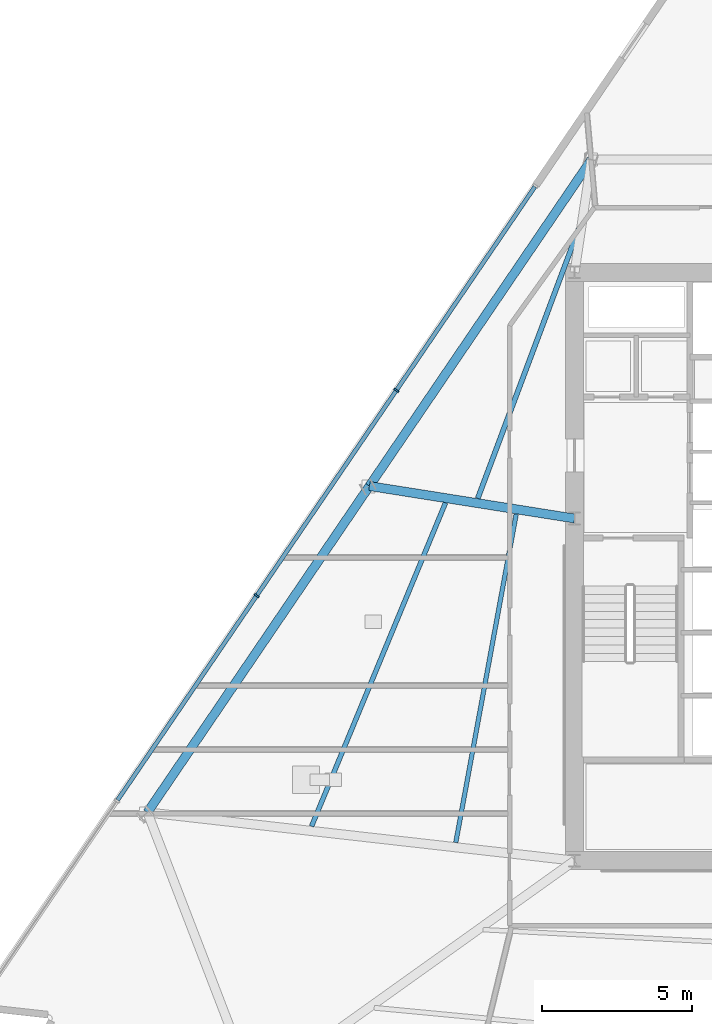
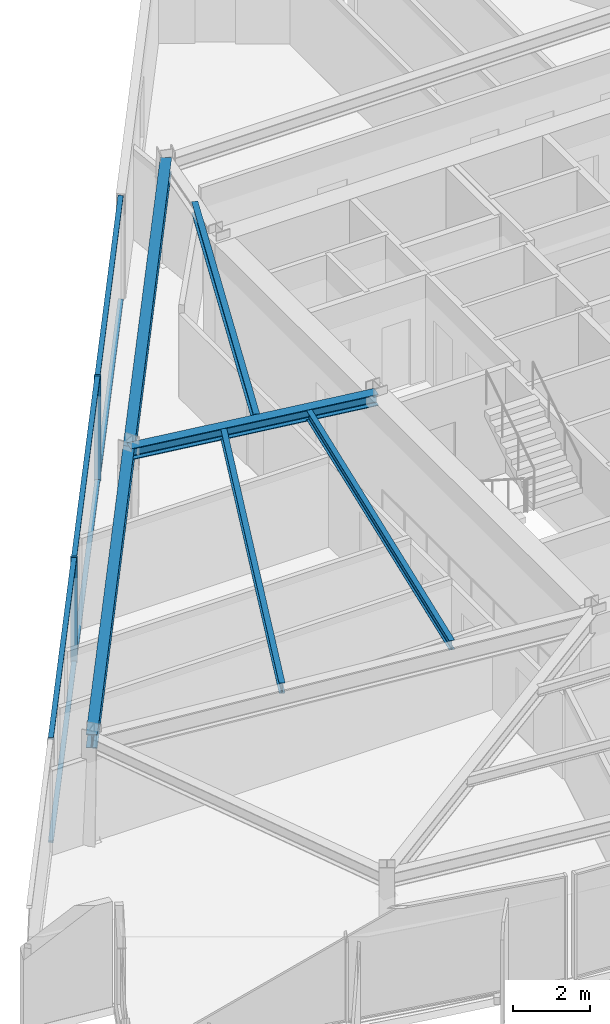
# One storey, part 3 of 15: 8 members, 6 beams, 1 element without a shape of its own.
"""IFC4 building model written with IfcOpenShell, lengths in metres."""

import ifcopenshell
import ifcopenshell.guid

model = None  # the IFC model being written
_history = None  # IfcOwnerHistory: only IFC2X3 demands one
_inside = {}  # id of a spatial element -> (the spatial element, [elements in it])
_under = {}  # id of a project, library or spatial element -> (it, [spatial elements below it])
_declared = {}  # id of a project -> (the project, [libraries it declares])
_typed = {}  # id of a type object -> (the type object, [elements of that type])
_made_of = {}  # id of a material, layer set ... -> (it, [elements and type objects made of it])


def new_model(schema):
    """Start an empty IFC model of exactly this schema.

    Asked for "IFC4X3", IfcOpenShell would pick the latest addendum, in which some entities
    have other attributes; the version numbers below select the first issue.
    IFC2X3 requires an IfcOwnerHistory on every rooted entity: one is made here for all.
    """
    global model, _history
    if schema == "IFC4X3":
        model = ifcopenshell.file(schema_version=(4, 3, 0, 0))
    else:
        model = ifcopenshell.file(schema=schema)
    _inside.clear()
    _under.clear()
    _declared.clear()
    _typed.clear()
    _made_of.clear()
    _history = None
    if model.schema == "IFC2X3":
        org = make("IfcOrganization", Name="unknown")
        user = make(
            "IfcPersonAndOrganization",
            ThePerson=make("IfcPerson", FamilyName="unknown"),
            TheOrganization=org,
        )
        app = make(
            "IfcApplication",
            ApplicationDeveloper=org,
            Version="unknown",
            ApplicationFullName="unknown",
            ApplicationIdentifier="unknown",
        )
        _history = make(
            "IfcOwnerHistory",
            OwningUser=user,
            OwningApplication=app,
            ChangeAction="ADDED",
            CreationDate=0,
        )
    return model


def make(cls, **values):
    """One entity of the class cls with the attributes given. An attribute that is None is left unset."""
    return model.create_entity(
        cls, **{name: value for name, value in values.items() if value is not None}
    )


def rooted(cls, **values):
    """An entity with a GlobalId (a new one), such as an element, a storey or a relation."""
    return make(cls, GlobalId=ifcopenshell.guid.new(), OwnerHistory=_history, **values)


def si_unit(unit_type, name, prefix=None):
    """IfcSIUnit, for example si_unit("LENGTHUNIT", "METRE", prefix="MILLI")."""
    return make("IfcSIUnit", UnitType=unit_type, Prefix=prefix, Name=name)


def assignment(units):
    """IfcUnitAssignment: the units of a project."""
    return None if units is None else make("IfcUnitAssignment", Units=units)


def point(xyz):
    """IfcCartesianPoint."""
    return None if xyz is None else make("IfcCartesianPoint", Coordinates=xyz)


def direction(xyz):
    """IfcDirection."""
    return None if xyz is None else make("IfcDirection", DirectionRatios=xyz)


def frame(location, z_axis=None, x_axis=None):
    """IfcAxis2Placement3D, a coordinate frame: its origin and axes. An axis left out is left unset."""
    return make(
        "IfcAxis2Placement3D",
        Location=point(location),
        Axis=direction(z_axis),
        RefDirection=direction(x_axis),
    )


def frame_2d(location, x_axis=None):
    """IfcAxis2Placement2D, a coordinate frame in the plane: its origin and x axis."""
    return make(
        "IfcAxis2Placement2D", Location=point(location), RefDirection=direction(x_axis)
    )


def origin():
    """The frame at (0, 0, 0) with its axes left unset."""
    return frame((0.0, 0.0, 0.0))


def origin_2d():
    """The frame at (0, 0) in the plane with its x axis left unset."""
    return frame_2d((0.0, 0.0))


def place(relative_to, where):
    """IfcLocalPlacement: puts the frame where relative to a parent placement (None: the world)."""
    return make(
        "IfcLocalPlacement", PlacementRelTo=relative_to, RelativePlacement=where
    )


def context(
    kind, dimensions, precision=None, world=None, true_north=None, identifier=None
):
    """IfcGeometricRepresentationContext, for example the 3D "Model" context."""
    return make(
        "IfcGeometricRepresentationContext",
        ContextIdentifier=identifier,
        ContextType=kind,
        CoordinateSpaceDimension=dimensions,
        Precision=precision,
        WorldCoordinateSystem=world,
        TrueNorth=true_north,
    )


def subcontext(parent, identifier, kind, view, scale=None):
    """IfcGeometricRepresentationSubContext, for example "Body" below "Model"."""
    return make(
        "IfcGeometricRepresentationSubContext",
        ContextIdentifier=identifier,
        ContextType=kind,
        ParentContext=parent,
        TargetScale=scale,
        TargetView=view,
    )


def project(units=None, contexts=None):
    """IfcProject with its units and contexts."""
    return rooted(
        "IfcProject",
        Name="project",
        RepresentationContexts=contexts,
        UnitsInContext=assignment(units),
    )


def spatial(cls, under=None, at=None, **own):
    """A site, building, storey or space (cls), placed at a placement, below another one or the project."""
    s = rooted(cls, ObjectPlacement=at, **own)
    if under is not None:
        _under.setdefault(under.id(), (under, []))[1].append(s)
    return s


def profile(cls, at=None, kind="AREA", **sizes):
    """A parametric profile (cls). Its sizes go by their IFC names, for example OverallWidth=200.0."""
    return make(cls, ProfileType=kind, Position=at, **sizes)


def rectangle(**sizes):
    """IfcRectangleProfileDef."""
    return profile("IfcRectangleProfileDef", **sizes)


def i_section(**sizes):
    """IfcIShapeProfileDef."""
    return profile("IfcIShapeProfileDef", **sizes)


def extrude(swept, where, along, depth):
    """IfcExtrudedAreaSolid: the profile swept, set in the frame where, extruded along a direction by depth."""
    return make(
        "IfcExtrudedAreaSolid",
        SweptArea=swept,
        Position=where,
        ExtrudedDirection=direction(along),
        Depth=depth,
    )


def shape(context_of_items, identifier, shape_type, items):
    """IfcShapeRepresentation: the items that make up one representation, for example the "Body"."""
    return make(
        "IfcShapeRepresentation",
        ContextOfItems=context_of_items,
        RepresentationIdentifier=identifier,
        RepresentationType=shape_type,
        Items=items,
    )


def material(Name=None, Category=None):
    """IfcMaterial."""
    return make("IfcMaterial", Name=Name, Category=Category)


def material_profile(
    of_material, cross_section, Name=None, Category=None, Priority=None
):
    """IfcMaterialProfile: a cross section and its material."""
    return make(
        "IfcMaterialProfile",
        Name=Name,
        Material=of_material,
        Profile=cross_section,
        Priority=Priority,
        Category=Category,
    )


def profile_set(profiles, Name=None, composite=None):
    """IfcMaterialProfileSet."""
    return make(
        "IfcMaterialProfileSet",
        Name=Name,
        MaterialProfiles=profiles,
        CompositeProfile=composite,
    )


def made_of(thing, what):
    """Note that an element or type object is made of a material, layer set ...; save() writes the relation."""
    if what is not None:
        _made_of.setdefault(what.id(), (what, []))[1].append(thing)
    return thing


def type_object(cls, material=None, **own):
    """A type object (cls), such as IfcWallType, which elements share."""
    return made_of(rooted(cls, **own), material)


def element(
    cls,
    number,
    at=None,
    inside=None,
    cuts=None,
    type_object=None,
    material=None,
    context=None,
    identifier="Body",
    shape_type=None,
    held_by="IfcProductDefinitionShape",
    body=None,
    shapes=None,
    **own,
):
    """One element of the class cls, such as IfcWall. Its Tag is "e" and its number.

    at: its placement. inside: the storey or other place that contains it. cuts: it is an
    opening in that element (IfcRelVoidsElement). A single representation is given by context,
    identifier, shape_type and body (its items); several are given by shapes. held_by: the class
    of the entity that holds the representations. save() writes the other relations.
    """
    e = rooted(cls, Tag="e%d" % number, ObjectPlacement=at, **own)
    if body is not None:
        shapes = [shape(context, identifier, shape_type, body)]
    if shapes is not None:
        e.Representation = make(held_by, Representations=shapes)
    if inside is not None:
        _inside.setdefault(inside.id(), (inside, []))[1].append(e)
    if cuts is not None:
        rooted(
            "IfcRelVoidsElement", RelatingBuildingElement=cuts, RelatedOpeningElement=e
        )
    if type_object is not None:
        _typed.setdefault(type_object.id(), (type_object, []))[1].append(e)
    return made_of(e, material)


def aggregate(whole, parts):
    """IfcRelAggregates: a whole, such as a stair, and the parts it consists of."""
    return rooted("IfcRelAggregates", RelatingObject=whole, RelatedObjects=parts)


def save(model, path):
    """Write the relations noted so far, then the file.

    IfcRelAggregates (storeys below a building ...), IfcRelContainedInSpatialStructure (elements
    in a storey), IfcRelDefinesByType, IfcRelAssociatesMaterial and IfcRelDeclares: one each for
    every whole, place, type object, material and project.
    """
    for whole, parts in _under.values():
        aggregate(whole, parts)
    for where, things in _inside.values():
        rooted(
            "IfcRelContainedInSpatialStructure",
            RelatedElements=things,
            RelatingStructure=where,
        )
    for kind, things in _typed.values():
        rooted("IfcRelDefinesByType", RelatedObjects=things, RelatingType=kind)
    for what, things in _made_of.values():
        rooted("IfcRelAssociatesMaterial", RelatedObjects=things, RelatingMaterial=what)
    for by, libraries in _declared.values():
        rooted("IfcRelDeclares", RelatingContext=by, RelatedDefinitions=libraries)
    model.write(path)


model = new_model("IFC4")

# Units and contexts
model_context = context("Model", 3, precision=1e-05, world=origin(), true_north=direction((0.0, 1.0)))
body_context = subcontext(model_context, "Body", "Model", "MODEL_VIEW")
ifc_project = project(units=[si_unit("LENGTHUNIT", "METRE"), si_unit("AREAUNIT", "SQUARE_METRE"), si_unit("VOLUMEUNIT", "CUBIC_METRE"), si_unit("PLANEANGLEUNIT", "RADIAN"), si_unit("MASSUNIT", "GRAM", prefix="KILO")], contexts=[model_context])

# Site, building, storey
site_placement = place(None, origin())
site = spatial("IfcSite", under=ifc_project, at=site_placement, CompositionType="ELEMENT")
building_placement = place(site_placement, origin())
building = spatial("IfcBuilding", under=site, at=building_placement, Name="Savorim Split Tower", CompositionType="ELEMENT")
storey_placement = place(building_placement, frame((0.0, 0.0, 122.10009765625)))
storey = spatial("IfcBuildingStorey", under=building, at=storey_placement, Name="L32", CompositionType="ELEMENT", Elevation=122.10009765625)

# Beams
ifc_material_1 = material(Name="Steel S355", Category="steel")
ifc_material_profile_1 = material_profile(ifc_material_1, i_section(OverallWidth=0.14990234375, OverallDepth=0.300048828125, WebThickness=0.007080078125, FlangeThickness=0.0107421875, FilletRadius=0.014892578125, at=origin_2d()), Name="IPE 300")
ifc_profile_set_1 = profile_set([ifc_material_profile_1], Name="Steel S355")
beam_type_1 = type_object("IfcBeamType", Name="BM-JST-IPE300", PredefinedType="JOIST", material=ifc_profile_set_1)
beam_1_placement = place(storey_placement, frame((-9.642333984375, 2.145263671875, 3.199951171875), z_axis=(-0.181017716596, -0.983479835217, 0.0), x_axis=(0.983479835217, -0.181017716596, 0.0)))
element("IfcBeam", 1, at=beam_1_placement, inside=storey, type_object=beam_type_1, Name="L32 Secondary Floor Joist JS-11", PredefinedType="JOIST", context=body_context, shape_type="SweptSolid", body=[
    extrude(i_section(OverallWidth=0.14990234375, OverallDepth=0.300048828125, WebThickness=0.007080078125, FlangeThickness=0.0107421875, FilletRadius=0.014892578125, at=origin_2d()), origin(), (0.0, 0.0, 1.0), 11.12158203125),
])
ifc_material_profile_2 = material_profile(ifc_material_1, i_section(OverallWidth=0.159912109375, OverallDepth=0.330078125, WebThickness=0.007568359375, FlangeThickness=0.011474609375, FilletRadius=0.01806640625, at=origin_2d()), Name="IPE 330")
ifc_profile_set_2 = profile_set([ifc_material_profile_2], Name="Steel S355")
beam_type_2 = type_object("IfcBeamType", Name="BM-JST-IPE330", PredefinedType="JOIST", material=ifc_profile_set_2)
beam_2_placement = place(storey_placement, frame((-11.998046875, 2.5224609375, 3.184814453125), z_axis=(-0.382632129374, -0.923900781237, 0.0), x_axis=(0.923900781237, -0.382632129374, 0.0)))
element("IfcBeam", 2, at=beam_2_placement, inside=storey, type_object=beam_type_2, Name="L32 Secondary Floor Joist JS-10", PredefinedType="JOIST", context=body_context, shape_type="SweptSolid", body=[
    extrude(i_section(OverallWidth=0.159912109375, OverallDepth=0.330078125, WebThickness=0.007568359375, FlangeThickness=0.011474609375, FilletRadius=0.01806640625, at=origin_2d()), origin(), (0.0, 0.0, 1.0), 11.66552734375),
])
ifc_material_profile_3 = material_profile(ifc_material_1, i_section(OverallWidth=0.169921875, OverallDepth=0.360107421875, WebThickness=0.008056640625, FlangeThickness=0.0126953125, FilletRadius=0.01806640625, at=origin_2d()), Name="IPE 360")
ifc_profile_set_3 = profile_set([ifc_material_profile_3], Name="Steel S355")
beam_type_3 = type_object("IfcBeamType", Name="BM-JST-IPE360", PredefinedType="JOIST", material=ifc_profile_set_3)
beam_3_placement = place(storey_placement, frame((-7.485595703125, 11.852294921875, 3.169921875), z_axis=(-0.350643198684, -0.936509128208, 0.0), x_axis=(0.936509128208, -0.350643198684, 0.0)))
element("IfcBeam", 3, at=beam_3_placement, inside=storey, type_object=beam_type_3, Name="L32 Secondary Floor Joist JS-09", PredefinedType="JOIST", context=body_context, shape_type="SweptSolid", body=[
    extrude(i_section(OverallWidth=0.169921875, OverallDepth=0.360107421875, WebThickness=0.008056640625, FlangeThickness=0.0126953125, FilletRadius=0.01806640625, at=origin_2d()), origin(), (0.0, 0.0, 1.0), 9.80615234375),
])
ifc_material_profile_4 = material_profile(ifc_material_1, i_section(OverallWidth=0.300048828125, OverallDepth=0.360107421875, WebThickness=0.012451171875, FlangeThickness=0.0224609375, FilletRadius=0.027099609375, at=origin_2d()), Name="HEB 360")
ifc_profile_set_4 = profile_set([ifc_material_profile_4], Name="Steel S355")
beam_type_4 = type_object("IfcBeamType", Name="BM-PRI-HEB360", PredefinedType="BEAM", material=ifc_profile_set_4)
beam_4_placement = place(storey_placement, frame((-14.533447265625, 3.0810546875, 3.169921875), z_axis=(0.987716570186, -0.156256126216, 0.0), x_axis=(0.156256126216, 0.987716570186, 0.0)))
element("IfcBeam", 4, at=beam_4_placement, inside=storey, type_object=beam_type_4, Name="L32 Primary Floor Girder RG-09", PredefinedType="BEAM", context=body_context, shape_type="SweptSolid", body=[
    extrude(i_section(OverallWidth=0.300048828125, OverallDepth=0.360107421875, WebThickness=0.012451171875, FlangeThickness=0.0224609375, FilletRadius=0.027099609375, at=origin_2d()), origin(), (0.0, 0.0, 1.0), 6.91845703125),
])
ifc_material_profile_5 = material_profile(ifc_material_1, i_section(OverallWidth=0.300048828125, OverallDepth=0.43994140625, WebThickness=0.011474609375, FlangeThickness=0.02099609375, FilletRadius=0.027099609375, at=origin_2d()), Name="HEA 450")
ifc_profile_set_5 = profile_set([ifc_material_profile_5], Name="Steel S355")
beam_type_5 = type_object("IfcBeamType", Name="BM-SPN-HEA450", PredefinedType="SPANDREL", material=ifc_profile_set_5)
beam_5_placement = place(storey_placement, frame((-7.13671875, 13.954345703125, 3.1298828125), z_axis=(-0.562460318626, -0.826824279984, 0.0), x_axis=(0.826824279984, -0.562460318626, 0.0)))
element("IfcBeam", 5, at=beam_5_placement, inside=storey, type_object=beam_type_5, Name="L32 Perimeter Spandrel Beam 8", PredefinedType="SPANDREL", context=body_context, shape_type="SweptSolid", body=[
    extrude(i_section(OverallWidth=0.300048828125, OverallDepth=0.43994140625, WebThickness=0.011474609375, FlangeThickness=0.02099609375, FilletRadius=0.027099609375, at=origin_2d()), origin(), (0.0, 0.0, 1.0), 13.150634765625),
])
beam_6_placement = place(storey_placement, frame((-14.533447265625, 3.0810546875, 3.1298828125), z_axis=(-0.562473010096, -0.826815646268, 0.0), x_axis=(0.826815646268, -0.562473010096, 0.0)))
element("IfcBeam", 6, at=beam_6_placement, inside=storey, type_object=beam_type_5, Name="L32 Perimeter Spandrel Beam 9", PredefinedType="SPANDREL", context=body_context, shape_type="SweptSolid", body=[
    extrude(i_section(OverallWidth=0.300048828125, OverallDepth=0.43994140625, WebThickness=0.011474609375, FlangeThickness=0.02099609375, FilletRadius=0.027099609375, at=origin_2d()), origin(), (0.0, 0.0, 1.0), 13.15087890625),
])

# Curtain wall, members
ifc_material_2 = material(Name="Dark Ceramic-Fritted Insulated Glass", Category="glass")
curtain_wall_type = type_object("IfcCurtainWallType", Name="CW-TWR-FRIT-A", PredefinedType="NOTDEFINED", material=ifc_material_2)
curtain_wall_placement = place(storey_placement, origin())
curtain_wall = element("IfcCurtainWall", 7, at=curtain_wall_placement, inside=storey, type_object=curtain_wall_type, Name="L32 Curtain Wall CW-L32-WEST", PredefinedType="NOTDEFINED")
ifc_material_3 = material(Name="Charcoal Anodised Aluminium", Category="aluminium")
ifc_material_profile_6 = material_profile(ifc_material_3, rectangle(XDim=0.179931640625, YDim=0.06494140625, at=origin_2d()), Name="ALU-M 180x65")
ifc_profile_set_6 = profile_set([ifc_material_profile_6], Name="Charcoal Anodised Aluminium")
member_type_1 = type_object("IfcMemberType", Name="CWM-180x65", PredefinedType="MULLION", material=ifc_profile_set_6)
member_1_placement = place(storey_placement, frame((-13.636474609375, 6.269287109375, 0.0), z_axis=(0.0, 0.0, 1.0), x_axis=(0.826819959579, -0.562466669628, 0.0)))
member_1 = element("IfcMember", 8, at=member_1_placement, type_object=member_type_1, Name="CW-02 mullion 2", PredefinedType="MULLION", context=body_context, shape_type="SweptSolid", body=[
    extrude(rectangle(XDim=0.179931640625, YDim=0.06494140625, at=origin_2d()), origin(), (0.0, 0.0, 1.0), 3.349853515625),
])
member_2_placement = place(storey_placement, frame((-18.288818359375, -0.570068359375, 0.0), z_axis=(0.0, 0.0, 1.0), x_axis=(0.826819959579, -0.562466669628, 0.0)))
member_2 = element("IfcMember", 9, at=member_2_placement, type_object=member_type_1, Name="CW-02 mullion 3", PredefinedType="MULLION", context=body_context, shape_type="SweptSolid", body=[
    extrude(rectangle(XDim=0.179931640625, YDim=0.06494140625, at=origin_2d()), origin(), (0.0, 0.0, 1.0), 3.349853515625),
])
ifc_material_profile_7 = material_profile(ifc_material_3, rectangle(XDim=0.139892578125, YDim=0.054931640625, at=origin_2d()), Name="ALU-T 140x55")
ifc_profile_set_7 = profile_set([ifc_material_profile_7], Name="Charcoal Anodised Aluminium")
member_type_2 = type_object("IfcMemberType", Name="CWT-140x55", PredefinedType="USERDEFINED", material=ifc_profile_set_7)
member_3_placement = place(storey_placement, frame((-9.0205078125, 13.054443359375, 0.02734375), z_axis=(-0.562478304433, -0.826812044568, 0.0), x_axis=(0.826812044568, -0.562478304433, 0.0)))
member_3 = element("IfcMember", 10, at=member_3_placement, type_object=member_type_2, Name="CW-02 transom 1.1", ObjectType="TRANSOM", PredefinedType="USERDEFINED", context=body_context, shape_type="SweptSolid", body=[
    extrude(rectangle(XDim=0.139892578125, YDim=0.054931640625, at=origin_2d()), origin(), (0.0, 0.0, 1.0), 8.173828125),
])
member_4_placement = place(storey_placement, frame((-9.0205078125, 13.054443359375, 3.322509765625), z_axis=(-0.562478304433, -0.826812044568, 0.0), x_axis=(0.826812044568, -0.562478304433, 0.0)))
member_4 = element("IfcMember", 11, at=member_4_placement, type_object=member_type_2, Name="CW-02 transom 1.2", ObjectType="TRANSOM", PredefinedType="USERDEFINED", context=body_context, shape_type="SweptSolid", body=[
    extrude(rectangle(XDim=0.139892578125, YDim=0.054931640625, at=origin_2d()), origin(), (0.0, 0.0, 1.0), 8.173828125),
])
member_5_placement = place(storey_placement, frame((-13.65478515625, 6.2421875, 0.02734375), z_axis=(-0.562461368044, -0.8268235661, 0.0), x_axis=(0.8268235661, -0.562461368044, 0.0)))
member_5 = element("IfcMember", 12, at=member_5_placement, type_object=member_type_2, Name="CW-02 transom 2.1", ObjectType="TRANSOM", PredefinedType="USERDEFINED", context=body_context, shape_type="SweptSolid", body=[
    extrude(rectangle(XDim=0.139892578125, YDim=0.054931640625, at=origin_2d()), origin(), (0.0, 0.0, 1.0), 8.206298828125),
])
member_6_placement = place(storey_placement, frame((-13.65478515625, 6.2421875, 3.322509765625), z_axis=(-0.562461368044, -0.8268235661, 0.0), x_axis=(0.8268235661, -0.562461368044, 0.0)))
member_6 = element("IfcMember", 13, at=member_6_placement, type_object=member_type_2, Name="CW-02 transom 2.2", ObjectType="TRANSOM", PredefinedType="USERDEFINED", context=body_context, shape_type="SweptSolid", body=[
    extrude(rectangle(XDim=0.139892578125, YDim=0.054931640625, at=origin_2d()), origin(), (0.0, 0.0, 1.0), 8.206298828125),
])
member_7_placement = place(storey_placement, frame((-18.30712890625, -0.596923828125, 0.02734375), z_axis=(-0.562467870631, -0.826819142563, 0.0), x_axis=(0.826819142563, -0.562467870631, 0.0)))
member_7 = element("IfcMember", 14, at=member_7_placement, type_object=member_type_2, Name="CW-02 transom 3.1", ObjectType="TRANSOM", PredefinedType="USERDEFINED", context=body_context, shape_type="SweptSolid", body=[
    extrude(rectangle(XDim=0.139892578125, YDim=0.054931640625, at=origin_2d()), origin(), (0.0, 0.0, 1.0), 8.20654296875),
])
member_8_placement = place(storey_placement, frame((-18.30712890625, -0.596923828125, 3.322509765625), z_axis=(-0.562467870631, -0.826819142563, 0.0), x_axis=(0.826819142563, -0.562467870631, 0.0)))
member_8 = element("IfcMember", 15, at=member_8_placement, type_object=member_type_2, Name="CW-02 transom 3.2", ObjectType="TRANSOM", PredefinedType="USERDEFINED", context=body_context, shape_type="SweptSolid", body=[
    extrude(rectangle(XDim=0.139892578125, YDim=0.054931640625, at=origin_2d()), origin(), (0.0, 0.0, 1.0), 8.20654296875),
])
aggregate(curtain_wall, [member_1, member_2, member_3, member_4, member_5, member_6, member_7, member_8])

save(model, "model.ifc")
